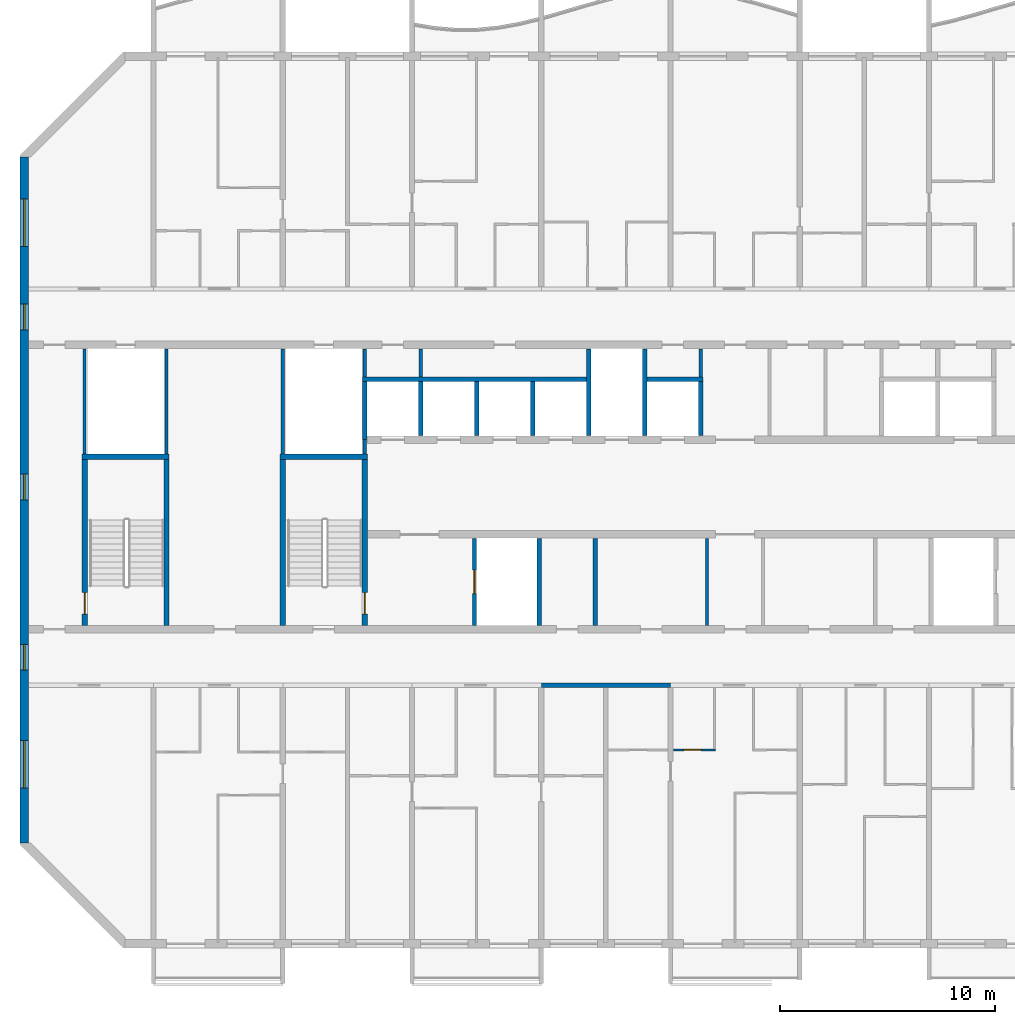
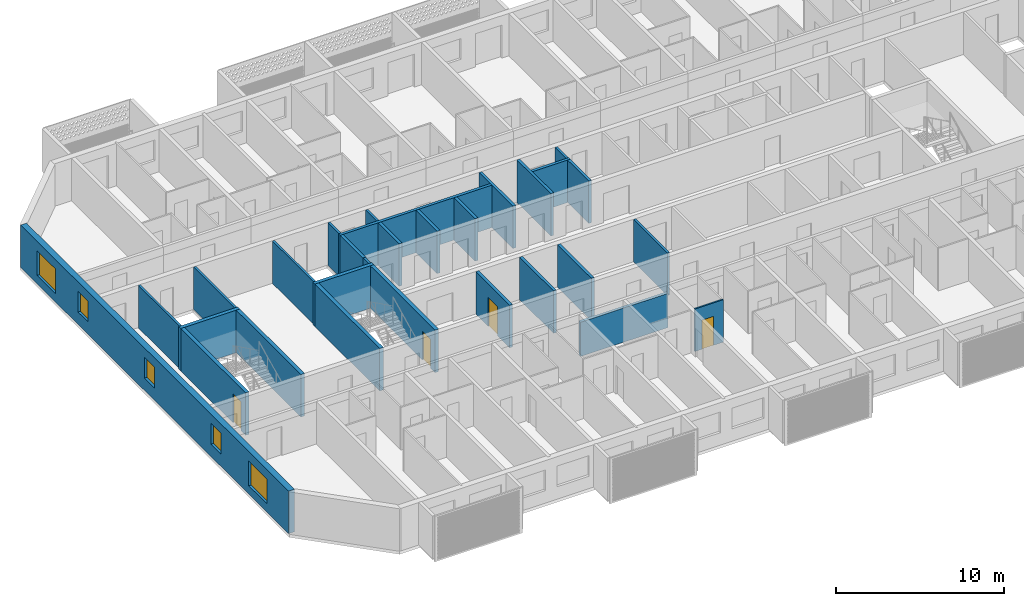
# One storey, part 3 of 29: 29 walls, 5 windows, 4 doors, 9 openings.
"""IFC4 building model written with IfcOpenShell, lengths in metres."""

from ifc_helpers import new_model, si_unit, direction, frame, frame_2d, origin, place, context, subcontext, project, spatial, rectangle, extrude, material, layer, layer_set, type_object, element, fill, save


model = new_model("IFC4")

# Units and contexts
model_context = context("Model", 3, precision=1e-05, world=origin(), true_north=direction((0.0, 1.0)))
body_context = subcontext(model_context, "Body", "Model", "MODEL_VIEW")
ifc_project = project(units=[si_unit("LENGTHUNIT", "METRE"), si_unit("AREAUNIT", "SQUARE_METRE"), si_unit("VOLUMEUNIT", "CUBIC_METRE"), si_unit("PLANEANGLEUNIT", "RADIAN"), si_unit("MASSUNIT", "GRAM", prefix="KILO")], contexts=[model_context])

# Site, building, storey
site_placement = place(None, origin())
site = spatial("IfcSite", under=ifc_project, at=site_placement, CompositionType="ELEMENT")
building_placement = place(site_placement, origin())
building = spatial("IfcBuilding", under=site, at=building_placement, Name="Poui Terraces", CompositionType="ELEMENT")
storey_placement = place(building_placement, frame((0.0, 0.0, 234.60009765625)))
storey = spatial("IfcBuildingStorey", under=building, at=storey_placement, Name="L65", CompositionType="ELEMENT", Elevation=234.60009765625)

# Walls
ifc_material_1 = material(Name="Fire-rated plasterboard wall")
ifc_layer_1 = layer(ifc_material_1, 0.14990234375)
ifc_layer_set_1 = layer_set([ifc_layer_1], Name="Fire-rated plasterboard wall")
wall_type_1 = type_object("IfcWallType", Name="CORRIDOR WALL 150", PredefinedType="PARTITIONING", material=ifc_layer_set_1)
wall_1_placement = place(storey_placement, frame((49.39990234375, 26.300048828125, 0.0), z_axis=(0.0, 0.0, 1.0), x_axis=(0.0, 1.0, 0.0)))
element("IfcWall", 1, at=wall_1_placement, inside=storey, type_object=wall_type_1, Name="CORRIDOR WALL 150", PredefinedType="PARTITIONING", context=body_context, shape_type="SweptSolid", body=[
    extrude(rectangle(XDim=1.31494140625, YDim=0.14990234375, at=frame_2d((0.657470703125, 0.0))), origin(), (0.0, 0.0, 1.0), 3.079833984375),
])
wall_2_placement = place(storey_placement, frame((49.699951171875, 14.784912109375, 0.0), z_axis=(0.0, 0.0, 1.0), x_axis=(0.0, 1.0, 0.0)))
element("IfcWall", 2, at=wall_2_placement, inside=storey, type_object=wall_type_1, Name="CORRIDOR WALL 150", PredefinedType="PARTITIONING", context=body_context, shape_type="SweptSolid", body=[
    extrude(rectangle(XDim=4.030029296875, YDim=0.14990234375, at=frame_2d((2.01513671875, 0.0))), origin(), (0.0, 0.0, 1.0), 3.079833984375),
])
ifc_material_2 = material(Name="Concrete 50 MPa", Category="concrete")
ifc_layer_2 = layer(ifc_material_2, 0.199951171875)
ifc_layer_set_2 = layer_set([ifc_layer_2], Name="Concrete 50 MPa")
wall_type_2 = type_object("IfcWallType", Name="CORRIDOR WALL 200 50MPa", PredefinedType="SHEAR", material=ifc_layer_set_2)
wall_3_placement = place(storey_placement, frame((42.0, 12.0, 0.0), z_axis=(0.0, 0.0, 1.0), x_axis=(1.0, 0.0, 0.0)))
element("IfcWall", 3, at=wall_3_placement, inside=storey, type_object=wall_type_2, Name="CORRIDOR WALL LINE B BAY 5", PredefinedType="SHEAR", context=body_context, shape_type="SweptSolid", body=[
    extrude(rectangle(XDim=6.0, YDim=0.199951171875, at=frame_2d((3.0, 0.0))), origin(), (0.0, 0.0, 1.0), 2.47998046875),
])

# Wall, openings, windows
ifc_layer_3 = layer(ifc_material_2, 0.39990234375)
ifc_layer_set_3 = layer_set([ifc_layer_3], Name="Concrete 50 MPa")
wall_type_3 = type_object("IfcWallType", Name="END WALL 400 50MPa", PredefinedType="SHEAR", material=ifc_layer_set_3)
wall_4_placement = place(storey_placement, frame((18.0, 4.682861328125, 0.0), z_axis=(0.0, 0.0, 1.0), x_axis=(0.0, 1.0, 0.0)))
wall_4 = element("IfcWall", 4, at=wall_4_placement, inside=storey, type_object=wall_type_3, Name="END WALL WEST", PredefinedType="SHEAR", context=body_context, shape_type="SweptSolid", body=[
    extrude(rectangle(XDim=31.834228515625, YDim=0.39990234375, at=frame_2d((15.9169921875, 0.0))), origin(), (0.0, 0.0, 1.0), 3.079833984375),
])
opening_1_placement = place(wall_4_placement, frame((23.817138671875, 0.0, 0.89990234375)))
opening_1 = element("IfcOpeningElement", 5, at=opening_1_placement, cuts=wall_4, Name="Opening W2", PredefinedType="OPENING", context=body_context, shape_type="SweptSolid", body=[
    extrude(rectangle(XDim=1.199951171875, YDim=1.5, at=frame_2d((0.60009765625, 0.75))), frame((0.0, 0.2099609375, 0.0), z_axis=(0.0, -1.0, 0.0), x_axis=(1.0, 0.0, 0.0)), (0.0, 0.0, 1.0), 0.419921875),
])
opening_2_placement = place(wall_4_placement, frame((8.01708984375, 0.0, 0.89990234375)))
opening_2 = element("IfcOpeningElement", 6, at=opening_2_placement, cuts=wall_4, Name="Opening W2", PredefinedType="OPENING", context=body_context, shape_type="SweptSolid", body=[
    extrude(rectangle(XDim=1.199951171875, YDim=1.5, at=frame_2d((0.60009765625, 0.75))), frame((0.0, 0.2099609375, 0.0), z_axis=(0.0, -1.0, 0.0), x_axis=(1.0, 0.0, 0.0)), (0.0, 0.0, 1.0), 0.419921875),
])
opening_3_placement = place(wall_4_placement, frame((27.693603515625, 0.0, 0.60009765625)))
opening_3 = element("IfcOpeningElement", 7, at=opening_3_placement, cuts=wall_4, Name="Opening W3", PredefinedType="OPENING", context=body_context, shape_type="SweptSolid", body=[
    extrude(rectangle(XDim=2.199951171875, YDim=1.800048828125, at=frame_2d((1.10009765625, 0.89990234375))), frame((0.0, 0.2099609375, 0.0), z_axis=(0.0, -1.0, 0.0), x_axis=(1.0, 0.0, 0.0)), (0.0, 0.0, 1.0), 0.419921875),
])
opening_4_placement = place(wall_4_placement, frame((2.541015625, 0.0, 0.60009765625)))
opening_4 = element("IfcOpeningElement", 8, at=opening_4_placement, cuts=wall_4, Name="Opening W3", PredefinedType="OPENING", context=body_context, shape_type="SweptSolid", body=[
    extrude(rectangle(XDim=2.199951171875, YDim=1.800048828125, at=frame_2d((1.10009765625, 0.89990234375))), frame((0.0, 0.2099609375, 0.0), z_axis=(0.0, -1.0, 0.0), x_axis=(1.0, 0.0, 0.0)), (0.0, 0.0, 1.0), 0.419921875),
])
opening_5_placement = place(wall_4_placement, frame((15.917236328125, 0.0, 0.89990234375)))
opening_5 = element("IfcOpeningElement", 9, at=opening_5_placement, cuts=wall_4, Name="Opening W2", PredefinedType="OPENING", context=body_context, shape_type="SweptSolid", body=[
    extrude(rectangle(XDim=1.199951171875, YDim=1.5, at=frame_2d((0.60009765625, 0.75))), frame((0.0, 0.2099609375, 0.0), z_axis=(0.0, -1.0, 0.0), x_axis=(1.0, 0.0, 0.0)), (0.0, 0.0, 1.0), 0.419921875),
])
ifc_material_3 = material(Name="Clear glass in aluminium frame", Category="aluminium")
window_type_1 = type_object("IfcWindowType", Name="WINDOW 1200X1500", PartitioningType="SINGLE_PANEL", PredefinedType="WINDOW", material=ifc_material_3)
window_1_placement = place(opening_1_placement, origin())
window_1 = element("IfcWindow", 10, at=window_1_placement, inside=storey, type_object=window_type_1, Name="W2 WINDOW", OverallHeight=1.5, OverallWidth=1.199951171875, PartitioningType="SINGLE_PANEL", PredefinedType="WINDOW", context=body_context, shape_type="SweptSolid", body=[
    extrude(rectangle(XDim=1.199951171875, YDim=1.5, at=frame_2d((0.60009765625, 0.75))), frame((0.0, 0.030029296875, 0.0), z_axis=(0.0, -1.0, 0.0), x_axis=(1.0, 0.0, 0.0)), (0.0, 0.0, 1.0), 0.06005859375),
])
fill(opening_1, window_1)
window_2_placement = place(opening_2_placement, origin())
window_2 = element("IfcWindow", 11, at=window_2_placement, inside=storey, type_object=window_type_1, Name="W2 WINDOW", OverallHeight=1.5, OverallWidth=1.199951171875, PartitioningType="SINGLE_PANEL", PredefinedType="WINDOW", context=body_context, shape_type="SweptSolid", body=[
    extrude(rectangle(XDim=1.199951171875, YDim=1.5, at=frame_2d((0.60009765625, 0.75))), frame((0.0, 0.030029296875, 0.0), z_axis=(0.0, -1.0, 0.0), x_axis=(1.0, 0.0, 0.0)), (0.0, 0.0, 1.0), 0.06005859375),
])
fill(opening_2, window_2)
window_3_placement = place(opening_5_placement, origin())
window_3 = element("IfcWindow", 12, at=window_3_placement, inside=storey, type_object=window_type_1, Name="W2 WINDOW", OverallHeight=1.5, OverallWidth=1.199951171875, PartitioningType="SINGLE_PANEL", PredefinedType="WINDOW", context=body_context, shape_type="SweptSolid", body=[
    extrude(rectangle(XDim=1.199951171875, YDim=1.5, at=frame_2d((0.60009765625, 0.75))), frame((0.0, 0.030029296875, 0.0), z_axis=(0.0, -1.0, 0.0), x_axis=(1.0, 0.0, 0.0)), (0.0, 0.0, 1.0), 0.06005859375),
])
fill(opening_5, window_3)
window_type_2 = type_object("IfcWindowType", Name="WINDOW 2200X1800", PartitioningType="DOUBLE_PANEL_HORIZONTAL", PredefinedType="WINDOW", material=ifc_material_3)
window_4_placement = place(opening_3_placement, origin())
window_4 = element("IfcWindow", 13, at=window_4_placement, inside=storey, type_object=window_type_2, Name="W3 WINDOW", OverallHeight=1.800048828125, OverallWidth=2.199951171875, PartitioningType="DOUBLE_PANEL_HORIZONTAL", PredefinedType="WINDOW", context=body_context, shape_type="SweptSolid", body=[
    extrude(rectangle(XDim=2.199951171875, YDim=1.800048828125, at=frame_2d((1.10009765625, 0.89990234375))), frame((0.0, 0.030029296875, 0.0), z_axis=(0.0, -1.0, 0.0), x_axis=(1.0, 0.0, 0.0)), (0.0, 0.0, 1.0), 0.06005859375),
])
fill(opening_3, window_4)
window_5_placement = place(opening_4_placement, origin())
window_5 = element("IfcWindow", 14, at=window_5_placement, inside=storey, type_object=window_type_2, Name="W3 WINDOW", OverallHeight=1.800048828125, OverallWidth=2.199951171875, PartitioningType="DOUBLE_PANEL_HORIZONTAL", PredefinedType="WINDOW", context=body_context, shape_type="SweptSolid", body=[
    extrude(rectangle(XDim=2.199951171875, YDim=1.800048828125, at=frame_2d((1.10009765625, 0.89990234375))), frame((0.0, 0.030029296875, 0.0), z_axis=(0.0, -1.0, 0.0), x_axis=(1.0, 0.0, 0.0)), (0.0, 0.0, 1.0), 0.06005859375),
])
fill(opening_4, window_5)

# Wall, opening, door
ifc_material_4 = material(Name="Plasterboard partition")
ifc_layer_4 = layer(ifc_material_4, 0.10009765625)
ifc_layer_set_4 = layer_set([ifc_layer_4], Name="Plasterboard partition")
wall_type_4 = type_object("IfcWallType", Name="FLAT PARTITION 100", PredefinedType="PARTITIONING", material=ifc_layer_set_4)
wall_5_placement = place(storey_placement, frame((48.135009765625, 9.0, 0.0), z_axis=(0.0, 0.0, 1.0), x_axis=(1.0, 0.0, 0.0)))
wall_5 = element("IfcWall", 15, at=wall_5_placement, inside=storey, type_object=wall_type_4, Name="FLAT PARTITION 100", PredefinedType="PARTITIONING", context=body_context, shape_type="SweptSolid", body=[
    extrude(rectangle(XDim=1.965087890625, YDim=0.10009765625, at=frame_2d((0.982421875, 0.0))), origin(), (0.0, 0.0, 1.0), 3.079833984375),
])
opening_6_placement = place(wall_5_placement, frame((0.489990234375, 0.0, 0.0)))
opening_6 = element("IfcOpeningElement", 16, at=opening_6_placement, cuts=wall_5, Name="Opening D80", PredefinedType="OPENING", context=body_context, shape_type="SweptSolid", body=[
    extrude(rectangle(XDim=0.800048828125, YDim=2.10009765625, at=frame_2d((0.39990234375, 1.050048828125))), frame((0.0, 0.06005859375, 0.0), z_axis=(0.0, -1.0, 0.0), x_axis=(1.0, 0.0, 0.0)), (0.0, 0.0, 1.0), 0.1201171875),
])
ifc_material_5 = material(Name="Solid core timber door", Category="wood")
door_type_1 = type_object("IfcDoorType", Name="BATHROOM, LAUNDRY AND STORE DOOR 800 X 2100", OperationType="NOTDEFINED", PredefinedType="DOOR", material=ifc_material_5)
door_1_placement = place(opening_6_placement, origin())
door_1 = element("IfcDoor", 17, at=door_1_placement, inside=storey, type_object=door_type_1, Name="BATHROOM, LAUNDRY AND STORE DOOR 080", OperationType="SINGLE_SWING_RIGHT", OverallHeight=2.10009765625, OverallWidth=0.800048828125, PredefinedType="DOOR", context=body_context, shape_type="SweptSolid", body=[
    extrude(rectangle(XDim=0.800048828125, YDim=2.10009765625, at=frame_2d((0.39990234375, 1.050048828125))), frame((0.0, 0.02490234375, 0.0), z_axis=(0.0, -1.0, 0.0), x_axis=(1.0, 0.0, 0.0)), (0.0, 0.0, 1.0), 0.050048828125),
])
fill(opening_6, door_1)

# Walls
ifc_layer_5 = layer(ifc_material_4, 0.14990234375)
ifc_layer_set_5 = layer_set([ifc_layer_5], Name="Plasterboard partition")
wall_type_5 = type_object("IfcWallType", Name="PARTITION WALL 150", PredefinedType="PARTITIONING", material=ifc_layer_set_5)
wall_6_placement = place(storey_placement, frame((36.39990234375, 26.300048828125, 0.0), z_axis=(0.0, 0.0, 1.0), x_axis=(0.0, 1.0, 0.0)))
element("IfcWall", 18, at=wall_6_placement, inside=storey, type_object=wall_type_5, Name="PARTITION WALL 150", PredefinedType="PARTITIONING", context=body_context, shape_type="SweptSolid", body=[
    extrude(rectangle(XDim=1.31494140625, YDim=0.14990234375, at=frame_2d((0.657470703125, 0.0))), origin(), (0.0, 0.0, 1.0), 3.079833984375),
])
ifc_material_6 = material(Name="Fire-rated masonry wall", Category="masonry")
ifc_layer_6 = layer(ifc_material_6, 0.199951171875)
ifc_layer_set_6 = layer_set([ifc_layer_6], Name="Fire-rated masonry wall")
wall_type_6 = type_object("IfcWallType", Name="PLANT ROOM WALL 200", PredefinedType="PARTITIONING", material=ifc_layer_set_6)
wall_7_placement = place(storey_placement, frame((44.5, 14.784912109375, 0.0), z_axis=(0.0, 0.0, 1.0), x_axis=(0.0, 1.0, 0.0)))
element("IfcWall", 19, at=wall_7_placement, inside=storey, type_object=wall_type_6, Name="PLANT ROOM WALL 200", PredefinedType="PARTITIONING", context=body_context, shape_type="SweptSolid", body=[
    extrude(rectangle(XDim=4.030029296875, YDim=0.199951171875, at=frame_2d((2.01513671875, 0.0))), origin(), (0.0, 0.0, 1.0), 3.079833984375),
])
ifc_material_7 = material(Name="Fire-rated plasterboard riser wall")
ifc_layer_7 = layer(ifc_material_7, 0.14990234375)
ifc_layer_set_7 = layer_set([ifc_layer_7], Name="Fire-rated plasterboard riser wall")
wall_type_7 = type_object("IfcWallType", Name="RISER WALL 150", PredefinedType="PARTITIONING", material=ifc_layer_set_7)
for number, where, z_axis, x_axis, name in (
    (20, (20.800048828125, 22.735107421875, 0.0), (0.0, 0.0, 1.0), (0.0, 1.0, 0.0), "RISER WALL 150"),
    (21, (24.60009765625, 22.735107421875, 0.0), (0.0, 0.0, 1.0), (0.0, 1.0, 0.0), "RISER WALL 150"),
    (22, (30.0, 22.735107421875, 0.0), (0.0, 0.0, 1.0), (0.0, 1.0, 0.0), "RISER WALL 150"),
):
    element("IfcWall", number, at=place(storey_placement, frame(where, z_axis=z_axis, x_axis=x_axis)), inside=storey, type_object=wall_type_7, Name=name, PredefinedType="PARTITIONING", context=body_context, shape_type="SweptSolid", body=[
        extrude(rectangle(XDim=4.8798828125, YDim=0.14990234375, at=frame_2d((2.43994140625, 0.0))), origin(), (0.0, 0.0, 1.0), 3.079833984375),
    ])
wall_8_placement = place(storey_placement, frame((33.800048828125, 22.735107421875, 0.0), z_axis=(0.0, 0.0, 1.0), x_axis=(0.0, 1.0, 0.0)))
element("IfcWall", 23, at=wall_8_placement, inside=storey, type_object=wall_type_7, Name="RISER WALL 150", PredefinedType="PARTITIONING", context=body_context, shape_type="SweptSolid", body=[
    extrude(rectangle(XDim=0.664794921875, YDim=0.14990234375, at=frame_2d((0.33251953125, 0.0))), origin(), (0.0, 0.0, 1.0), 3.079833984375),
])
wall_9_placement = place(storey_placement, frame((33.800048828125, 26.300048828125, 0.0), z_axis=(0.0, 0.0, 1.0), x_axis=(0.0, 1.0, 0.0)))
element("IfcWall", 24, at=wall_9_placement, inside=storey, type_object=wall_type_7, Name="RISER WALL 150", PredefinedType="PARTITIONING", context=body_context, shape_type="SweptSolid", body=[
    extrude(rectangle(XDim=1.31494140625, YDim=0.14990234375, at=frame_2d((0.657470703125, 0.0))), origin(), (0.0, 0.0, 1.0), 3.079833984375),
])
ifc_material_8 = material(Name="Fire-rated masonry shaft wall", Category="masonry")
ifc_layer_8 = layer(ifc_material_8, 0.199951171875)
ifc_layer_set_8 = layer_set([ifc_layer_8], Name="Fire-rated masonry shaft wall")
wall_type_8 = type_object("IfcWallType", Name="SHAFT WALL 200", PredefinedType="PARTITIONING", material=ifc_layer_set_8)
wall_10_placement = place(storey_placement, frame((33.699951171875, 26.199951171875, 0.0), z_axis=(0.0, 0.0, 1.0), x_axis=(1.0, 0.0, 0.0)))
element("IfcWall", 25, at=wall_10_placement, inside=storey, type_object=wall_type_8, Name="SHAFT WALL 200", PredefinedType="PARTITIONING", context=body_context, shape_type="SweptSolid", body=[
    extrude(rectangle(XDim=10.400146484375, YDim=0.199951171875, at=frame_2d((5.2001953125, 0.0))), origin(), (0.0, 0.0, 1.0), 3.079833984375),
])
wall_11_placement = place(storey_placement, frame((46.89990234375, 26.199951171875, 0.0), z_axis=(0.0, 0.0, 1.0), x_axis=(1.0, 0.0, 0.0)))
element("IfcWall", 26, at=wall_11_placement, inside=storey, type_object=wall_type_8, Name="SHAFT WALL 200", PredefinedType="PARTITIONING", context=body_context, shape_type="SweptSolid", body=[
    extrude(rectangle(XDim=2.60009765625, YDim=0.199951171875, at=frame_2d((1.300048828125, 0.0))), origin(), (0.0, 0.0, 1.0), 3.079833984375),
])
wall_12_placement = place(storey_placement, frame((33.800048828125, 23.39990234375, 0.0), z_axis=(0.0, 0.0, 1.0), x_axis=(0.0, 1.0, 0.0)))
element("IfcWall", 27, at=wall_12_placement, inside=storey, type_object=wall_type_8, Name="SHAFT WALL 200", PredefinedType="PARTITIONING", context=body_context, shape_type="SweptSolid", body=[
    extrude(rectangle(XDim=2.7001953125, YDim=0.199951171875, at=frame_2d((1.35009765625, 0.0))), origin(), (0.0, 0.0, 1.0), 3.079833984375),
])
wall_13_placement = place(storey_placement, frame((36.39990234375, 23.5849609375, 0.0), z_axis=(0.0, 0.0, 1.0), x_axis=(0.0, 1.0, 0.0)))
element("IfcWall", 28, at=wall_13_placement, inside=storey, type_object=wall_type_8, Name="SHAFT WALL 200", PredefinedType="PARTITIONING", context=body_context, shape_type="SweptSolid", body=[
    extrude(rectangle(XDim=2.51513671875, YDim=0.199951171875, at=frame_2d((1.257568359375, 0.0))), origin(), (0.0, 0.0, 1.0), 3.079833984375),
])

# Wall, opening, door
wall_14_placement = place(storey_placement, frame((38.89990234375, 14.784912109375, 0.0), z_axis=(0.0, 0.0, 1.0), x_axis=(0.0, 1.0, 0.0)))
wall_14 = element("IfcWall", 29, at=wall_14_placement, inside=storey, type_object=wall_type_8, Name="SHAFT WALL 200", PredefinedType="PARTITIONING", context=body_context, shape_type="SweptSolid", body=[
    extrude(rectangle(XDim=4.030029296875, YDim=0.199951171875, at=frame_2d((2.01513671875, 0.0))), origin(), (0.0, 0.0, 1.0), 3.079833984375),
])
opening_7_placement = place(wall_14_placement, frame((1.465087890625, 0.0, 0.0)))
opening_7 = element("IfcOpeningElement", 30, at=opening_7_placement, cuts=wall_14, Name="Opening LD", PredefinedType="OPENING", context=body_context, shape_type="SweptSolid", body=[
    extrude(rectangle(XDim=1.10009765625, YDim=2.10009765625, at=frame_2d((0.550048828125, 1.050048828125))), frame((0.0, 0.10986328125, 0.0), z_axis=(0.0, -1.0, 0.0), x_axis=(1.0, 0.0, 0.0)), (0.0, 0.0, 1.0), 0.219970703125),
])
ifc_material_9 = material(Name="Stainless steel sliding door", Category="steel")
door_type_2 = type_object("IfcDoorType", Name="LIFT LANDING DOOR 1100 X 2100", OperationType="DOUBLE_DOOR_SLIDING", PredefinedType="DOOR", material=ifc_material_9)
door_2_placement = place(opening_7_placement, origin())
door_2 = element("IfcDoor", 31, at=door_2_placement, inside=storey, type_object=door_type_2, Name="LANDING DOOR", OperationType="DOUBLE_DOOR_SLIDING", OverallHeight=2.10009765625, OverallWidth=1.10009765625, PredefinedType="DOOR", context=body_context, shape_type="SweptSolid", body=[
    extrude(rectangle(XDim=1.10009765625, YDim=2.10009765625, at=frame_2d((0.550048828125, 1.050048828125))), frame((0.0, 0.02490234375, 0.0), z_axis=(0.0, -1.0, 0.0), x_axis=(1.0, 0.0, 0.0)), (0.0, 0.0, 1.0), 0.050048828125),
])
fill(opening_7, door_2)

# Walls
for number, where, z_axis, x_axis, name in (
    (32, (39.0, 23.5849609375, 0.0), (0.0, 0.0, 1.0), (0.0, 1.0, 0.0), "SHAFT WALL 200"),
    (33, (41.60009765625, 23.5849609375, 0.0), (0.0, 0.0, 1.0), (0.0, 1.0, 0.0), "SHAFT WALL 200"),
):
    element("IfcWall", number, at=place(storey_placement, frame(where, z_axis=z_axis, x_axis=x_axis)), inside=storey, type_object=wall_type_8, Name=name, PredefinedType="PARTITIONING", context=body_context, shape_type="SweptSolid", body=[
        extrude(rectangle(XDim=2.51513671875, YDim=0.199951171875, at=frame_2d((1.257568359375, 0.0))), origin(), (0.0, 0.0, 1.0), 3.079833984375),
    ])
for number, where, z_axis, x_axis, name in (
    (34, (41.89990234375, 14.784912109375, 0.0), (0.0, 0.0, 1.0), (0.0, 1.0, 0.0), "SHAFT WALL 200"),
    (35, (44.199951171875, 23.5849609375, 0.0), (0.0, 0.0, 1.0), (0.0, 1.0, 0.0), "SHAFT WALL 200"),
    (36, (46.800048828125, 23.5849609375, 0.0), (0.0, 0.0, 1.0), (0.0, 1.0, 0.0), "SHAFT WALL 200"),
):
    element("IfcWall", number, at=place(storey_placement, frame(where, z_axis=z_axis, x_axis=x_axis)), inside=storey, type_object=wall_type_8, Name=name, PredefinedType="PARTITIONING", context=body_context, shape_type="SweptSolid", body=[
        extrude(rectangle(XDim=4.030029296875, YDim=0.199951171875, at=frame_2d((2.01513671875, 0.0))), origin(), (0.0, 0.0, 1.0), 3.079833984375),
    ])
wall_15_placement = place(storey_placement, frame((49.39990234375, 23.5849609375, 0.0), z_axis=(0.0, 0.0, 1.0), x_axis=(0.0, 1.0, 0.0)))
element("IfcWall", 37, at=wall_15_placement, inside=storey, type_object=wall_type_8, Name="SHAFT WALL 200", PredefinedType="PARTITIONING", context=body_context, shape_type="SweptSolid", body=[
    extrude(rectangle(XDim=2.51513671875, YDim=0.199951171875, at=frame_2d((1.257568359375, 0.0))), origin(), (0.0, 0.0, 1.0), 3.079833984375),
])
ifc_layer_9 = layer(ifc_material_2, 0.25)
ifc_layer_set_9 = layer_set([ifc_layer_9], Name="Concrete 50 MPa")
wall_type_9 = type_object("IfcWallType", Name="STAIR CORE WALL 250 50 MPA", PredefinedType="SOLIDWALL", material=ifc_layer_set_9)
wall_16_placement = place(storey_placement, frame((30.0, 14.77490234375, 0.0), z_axis=(0.0, 0.0, 1.0), x_axis=(0.0, 1.0, 0.0)))
element("IfcWall", 38, at=wall_16_placement, inside=storey, type_object=wall_type_9, Name="STAIR CORE WALL", PredefinedType="SOLIDWALL", context=body_context, shape_type="SweptSolid", body=[
    extrude(rectangle(XDim=7.7001953125, YDim=0.25, at=frame_2d((3.85009765625, 0.0))), origin(), (0.0, 0.0, 1.0), 3.079833984375),
])

# Wall, opening, door
wall_17_placement = place(storey_placement, frame((33.800048828125, 14.77490234375, 0.0), z_axis=(0.0, 0.0, 1.0), x_axis=(0.0, 1.0, 0.0)))
wall_17 = element("IfcWall", 39, at=wall_17_placement, inside=storey, type_object=wall_type_9, Name="STAIR CORE WALL", PredefinedType="SOLIDWALL", context=body_context, shape_type="SweptSolid", body=[
    extrude(rectangle(XDim=7.7001953125, YDim=0.25, at=frame_2d((3.85009765625, 0.0))), origin(), (0.0, 0.0, 1.0), 3.079833984375),
])
opening_8_placement = place(wall_17_placement, frame((0.52490234375, 0.0, 0.0)))
opening_8 = element("IfcOpeningElement", 40, at=opening_8_placement, cuts=wall_17, Name="Opening FD60S", PredefinedType="OPENING", context=body_context, shape_type="SweptSolid", body=[
    extrude(rectangle(XDim=1.0, YDim=2.10009765625, at=frame_2d((0.5, 1.050048828125))), frame((0.0, 0.135009765625, 0.0), z_axis=(0.0, -1.0, 0.0), x_axis=(1.0, 0.0, 0.0)), (0.0, 0.0, 1.0), 0.27001953125),
])
ifc_material_10 = material(Name="Steel fire door", Category="steel")
door_type_3 = type_object("IfcDoorType", Name="STAIR DOOR 1000 X 2100", OperationType="NOTDEFINED", PredefinedType="DOOR", material=ifc_material_10)
door_3_placement = place(opening_8_placement, origin())
door_3 = element("IfcDoor", 41, at=door_3_placement, inside=storey, type_object=door_type_3, Name="STAIR DOOR 102", OperationType="SINGLE_SWING_LEFT", OverallHeight=2.10009765625, OverallWidth=1.0, PredefinedType="DOOR", context=body_context, shape_type="SweptSolid", body=[
    extrude(rectangle(XDim=1.0, YDim=2.10009765625, at=frame_2d((0.5, 1.050048828125))), frame((0.0, 0.02490234375, 0.0), z_axis=(0.0, -1.0, 0.0), x_axis=(1.0, 0.0, 0.0)), (0.0, 0.0, 1.0), 0.050048828125),
])
fill(opening_8, door_3)

# Wall
wall_18_placement = place(storey_placement, frame((29.875, 22.60009765625, 0.0), z_axis=(0.0, 0.0, 1.0), x_axis=(1.0, 0.0, 0.0)))
element("IfcWall", 42, at=wall_18_placement, inside=storey, type_object=wall_type_9, Name="STAIR CORE WALL", PredefinedType="SOLIDWALL", context=body_context, shape_type="SweptSolid", body=[
    extrude(rectangle(XDim=4.050048828125, YDim=0.25, at=frame_2d((2.02490234375, 0.0))), origin(), (0.0, 0.0, 1.0), 3.079833984375),
])

# Wall, opening, door
wall_19_placement = place(storey_placement, frame((20.800048828125, 14.77490234375, 0.0), z_axis=(0.0, 0.0, 1.0), x_axis=(0.0, 1.0, 0.0)))
wall_19 = element("IfcWall", 43, at=wall_19_placement, inside=storey, type_object=wall_type_9, Name="STAIR CORE WALL", PredefinedType="SOLIDWALL", context=body_context, shape_type="SweptSolid", body=[
    extrude(rectangle(XDim=7.7001953125, YDim=0.25, at=frame_2d((3.85009765625, 0.0))), origin(), (0.0, 0.0, 1.0), 3.079833984375),
])
opening_9_placement = place(wall_19_placement, frame((0.52490234375, 0.0, 0.0)))
opening_9 = element("IfcOpeningElement", 44, at=opening_9_placement, cuts=wall_19, Name="Opening FD60S", PredefinedType="OPENING", context=body_context, shape_type="SweptSolid", body=[
    extrude(rectangle(XDim=1.0, YDim=2.10009765625, at=frame_2d((0.5, 1.050048828125))), frame((0.0, 0.135009765625, 0.0), z_axis=(0.0, -1.0, 0.0), x_axis=(1.0, 0.0, 0.0)), (0.0, 0.0, 1.0), 0.27001953125),
])
door_4_placement = place(opening_9_placement, frame((1.0, 0.0, 0.0), z_axis=(0.0, 0.0, 1.0), x_axis=(-1.0, 0.0, 0.0)))
door_4 = element("IfcDoor", 45, at=door_4_placement, inside=storey, type_object=door_type_3, Name="STAIR DOOR 116", OperationType="SINGLE_SWING_RIGHT", OverallHeight=2.10009765625, OverallWidth=1.0, PredefinedType="DOOR", context=body_context, shape_type="SweptSolid", body=[
    extrude(rectangle(XDim=1.0, YDim=2.10009765625, at=frame_2d((0.5, 1.050048828125))), frame((0.0, 0.02490234375, 0.0), z_axis=(0.0, -1.0, 0.0), x_axis=(1.0, 0.0, 0.0)), (0.0, 0.0, 1.0), 0.050048828125),
])
fill(opening_9, door_4)

# Walls
wall_20_placement = place(storey_placement, frame((24.60009765625, 14.77490234375, 0.0), z_axis=(0.0, 0.0, 1.0), x_axis=(0.0, 1.0, 0.0)))
element("IfcWall", 46, at=wall_20_placement, inside=storey, type_object=wall_type_9, Name="STAIR CORE WALL", PredefinedType="SOLIDWALL", context=body_context, shape_type="SweptSolid", body=[
    extrude(rectangle(XDim=7.7001953125, YDim=0.25, at=frame_2d((3.85009765625, 0.0))), origin(), (0.0, 0.0, 1.0), 3.079833984375),
])
wall_21_placement = place(storey_placement, frame((20.675048828125, 22.60009765625, 0.0), z_axis=(0.0, 0.0, 1.0), x_axis=(1.0, 0.0, 0.0)))
element("IfcWall", 47, at=wall_21_placement, inside=storey, type_object=wall_type_9, Name="STAIR CORE WALL", PredefinedType="SOLIDWALL", context=body_context, shape_type="SweptSolid", body=[
    extrude(rectangle(XDim=4.050048828125, YDim=0.25, at=frame_2d((2.02490234375, 0.0))), origin(), (0.0, 0.0, 1.0), 3.079833984375),
])

save(model, "model.ifc")
